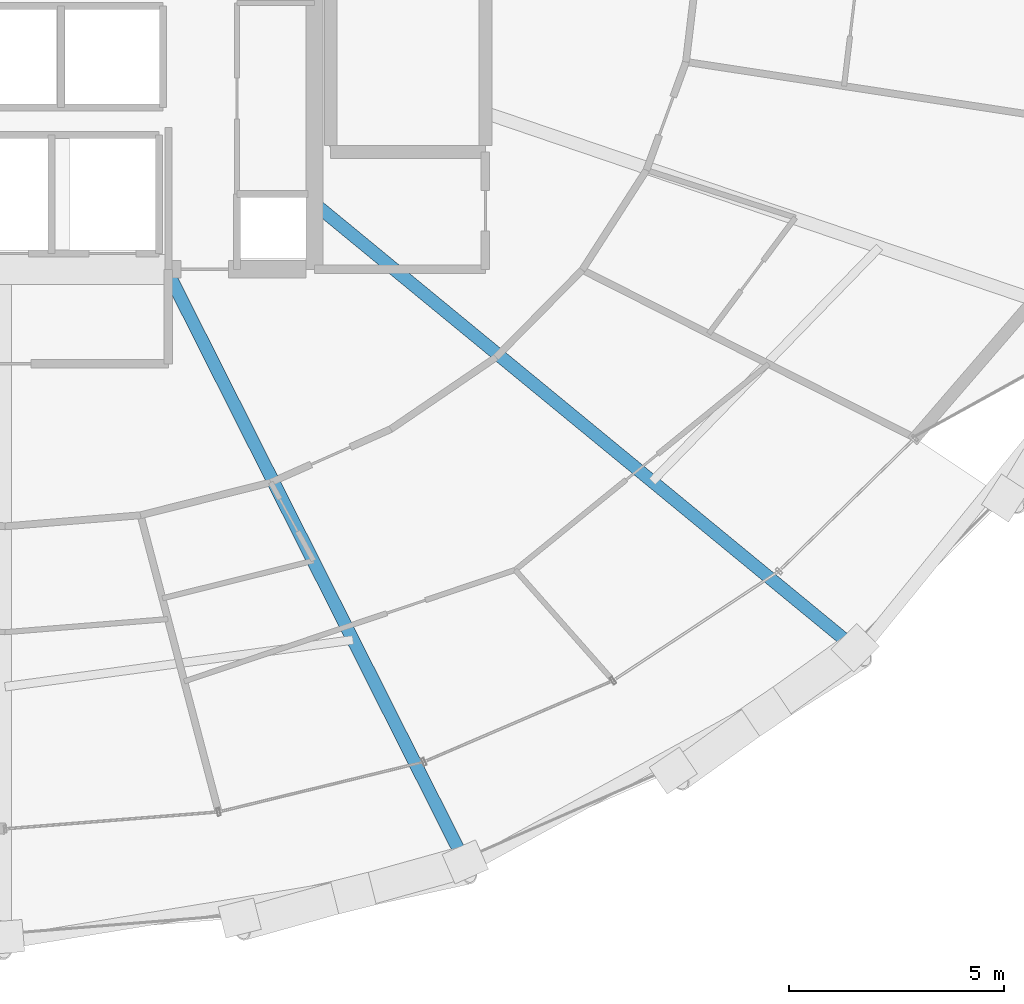
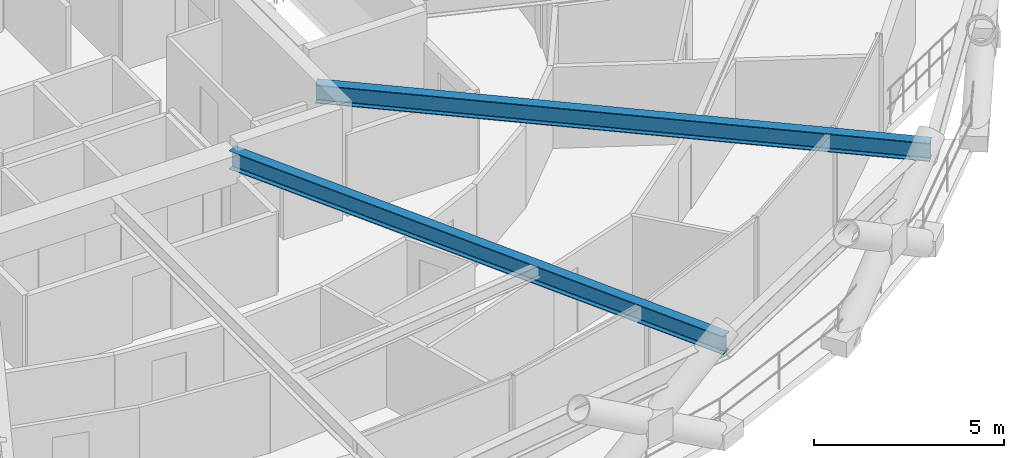
# One storey, part 8 of 18: 2 beams.
"""IFC4 building model written with IfcOpenShell, lengths in metres."""

from ifc_helpers import new_model, si_unit, direction, frame, origin, origin_2d, place, context, subcontext, project, spatial, i_section, extrude, material, material_profile, profile_set, type_object, element, save


model = new_model("IFC4")

# Units and contexts
model_context = context("Model", 3, precision=1e-05, world=origin(), true_north=direction((0.0, 1.0)))
body_context = subcontext(model_context, "Body", "Model", "MODEL_VIEW")
ifc_project = project(units=[si_unit("LENGTHUNIT", "METRE"), si_unit("AREAUNIT", "SQUARE_METRE"), si_unit("VOLUMEUNIT", "CUBIC_METRE"), si_unit("PLANEANGLEUNIT", "RADIAN"), si_unit("MASSUNIT", "GRAM", prefix="KILO")], contexts=[model_context])

# Site, building, storey
site_placement = place(None, origin())
site = spatial("IfcSite", under=ifc_project, at=site_placement, CompositionType="ELEMENT")
building_placement = place(site_placement, origin())
building = spatial("IfcBuilding", under=site, at=building_placement, Name="Veldorina Hangang Commons", CompositionType="ELEMENT")
storey_placement = place(building_placement, frame((0.0, 0.0, 41.199951171875)))
storey = spatial("IfcBuildingStorey", under=building, at=storey_placement, Name="L09", CompositionType="ELEMENT", Elevation=41.199951171875)

# Beams
ifc_material = material(Name="Steel SM460-TMC", Category="steel")
ifc_material_profile = material_profile(ifc_material, i_section(OverallWidth=0.300048828125, OverallDepth=0.587890625, WebThickness=0.011962890625, FlangeThickness=0.02001953125, FilletRadius=0.01806640625, at=origin_2d()), Name="H-588x300x12x20")
ifc_profile_set = profile_set([ifc_material_profile], Name="Steel SM460-TMC")
beam_type = type_object("IfcBeamType", Name="BM-FG588", PredefinedType="BEAM", material=ifc_profile_set)
beam_1_placement = place(storey_placement, frame((35.753173828125, 16.550048828125, 3.046142578125), z_axis=(0.449900541545, -0.89307866547, 0.0), x_axis=(0.89307866547, 0.449900541545, 0.0)))
element("IfcBeam", 1, at=beam_1_placement, inside=storey, type_object=beam_type, Name="L09 radial floor girder 14", PredefinedType="BEAM", context=body_context, shape_type="SweptSolid", body=[
    extrude(i_section(OverallWidth=0.300048828125, OverallDepth=0.587890625, WebThickness=0.011962890625, FlangeThickness=0.02001953125, FilletRadius=0.01806640625, at=origin_2d()), origin(), (0.0, 0.0, 1.0), 15.580078125),
])
beam_2_placement = place(storey_placement, frame((39.199951171875, 18.080078125, 3.046142578125), z_axis=(0.772422569241, -0.635108946975, 0.0), x_axis=(0.635108946975, 0.772422569241, 0.0)))
element("IfcBeam", 2, at=beam_2_placement, inside=storey, type_object=beam_type, Name="L09 radial floor girder 15", PredefinedType="BEAM", context=body_context, shape_type="SweptSolid", body=[
    extrude(i_section(OverallWidth=0.300048828125, OverallDepth=0.587890625, WebThickness=0.011962890625, FlangeThickness=0.02001953125, FilletRadius=0.01806640625, at=origin_2d()), origin(), (0.0, 0.0, 1.0), 16.425048828125),
])

save(model, "model.ifc")
